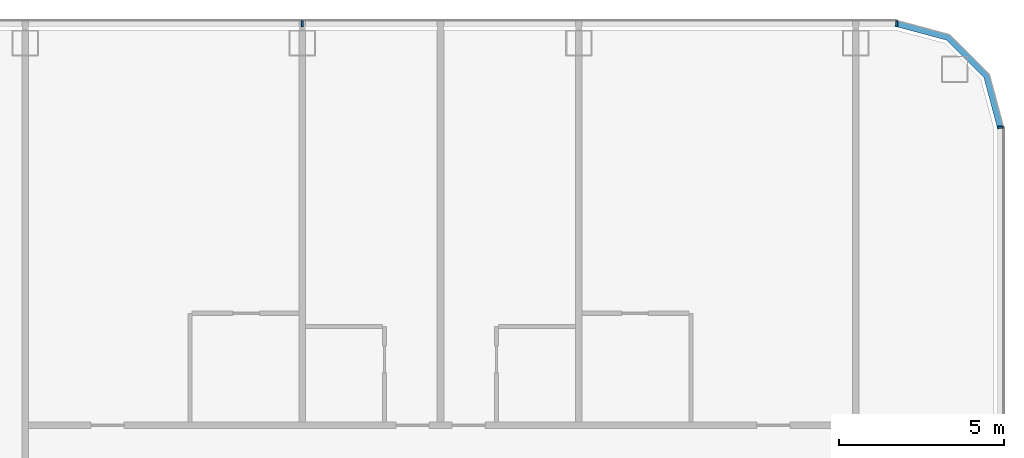
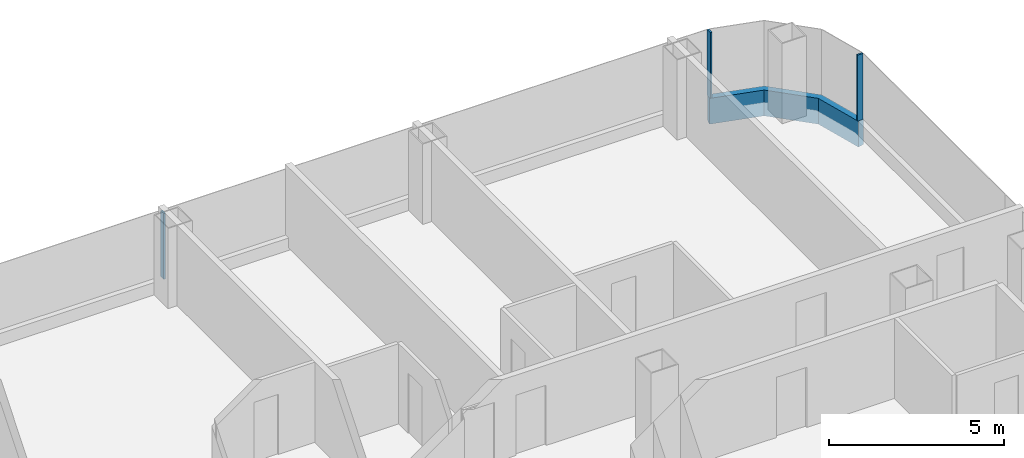
# One storey, part 13 of 29: 4 members, 3 elements without a shape of their own.
"""IFC4 building model written with IfcOpenShell, lengths in metres."""

from ifc_helpers import new_model, si_unit, direction, frame, origin, origin_2d, place, context, subcontext, project, spatial, polyline, rectangle, outline, extrude, material, layer, layer_set, material_profile, profile_set, type_object, element, aggregate, save


model = new_model("IFC4")

# Units and contexts
model_context = context("Model", 3, precision=1e-05, world=origin(), true_north=direction((0.0, 1.0)))
body_context = subcontext(model_context, "Body", "Model", "MODEL_VIEW")
ifc_project = project(units=[si_unit("LENGTHUNIT", "METRE"), si_unit("AREAUNIT", "SQUARE_METRE"), si_unit("VOLUMEUNIT", "CUBIC_METRE"), si_unit("PLANEANGLEUNIT", "RADIAN"), si_unit("MASSUNIT", "GRAM", prefix="KILO")], contexts=[model_context])

# Site, building, storey
site_placement = place(None, origin())
site = spatial("IfcSite", under=ifc_project, at=site_placement, CompositionType="ELEMENT")
building_placement = place(site_placement, origin())
building = spatial("IfcBuilding", under=site, at=building_placement, Name="Hakoniwa Tower and Hamabe Station Hall", CompositionType="ELEMENT")
storey_placement = place(building_placement, frame((0.0, 0.0, 97.800048828125)))
storey = spatial("IfcBuildingStorey", under=building, at=storey_placement, Name="L27", CompositionType="ELEMENT", Elevation=97.800048828125)

# Curtain wall, member
ifc_material_1 = material(Name="Dark low-e laminated glass", Category="glass")
ifc_layer = layer(ifc_material_1, 0.199951171875)
ifc_layer_set = layer_set([ifc_layer], Name="CW-1 UNITISED GUEST")
curtain_wall_type = type_object("IfcCurtainWallType", Name="CW-1 UNITISED GUEST", PredefinedType="NOTDEFINED", material=ifc_layer_set)
curtain_wall_1_placement = place(storey_placement, origin())
curtain_wall_1 = element("IfcCurtainWall", 1, at=curtain_wall_1_placement, inside=storey, type_object=curtain_wall_type, Name="CW-1 curtain wall", PredefinedType="NOTDEFINED")
ifc_material_2 = material(Name="Aluminium 6063-T5 black anodised", Category="aluminium")
ifc_material_profile_1 = material_profile(ifc_material_2, rectangle(XDim=0.199951171875, YDim=0.89990234375, at=origin_2d()), Name="CW SLAB-EDGE BAND 900X200")
ifc_profile_set_1 = profile_set([ifc_material_profile_1], Name="Aluminium 6063-T5 black anodised")
member_type_1 = type_object("IfcMemberType", Name="CW SLAB-EDGE BAND 900X200", PredefinedType="USERDEFINED", material=ifc_profile_set_1)
member_1_placement = place(storey_placement, frame((0.0, 0.0, -0.550048828125)))
member_1 = element("IfcMember", 2, at=member_1_placement, type_object=member_type_1, Name="CW-1 transom", ObjectType="TRANSOM", PredefinedType="USERDEFINED", context=body_context, shape_type="SweptSolid", body=[
    extrude(outline(polyline([(46.5, 20.28955078125), (46.067138671875, 21.9052734375), (44.855224609375, 23.116943359375), (43.239501953125, 23.550048828125), (43.187744140625, 23.35693359375), (44.751708984375, 22.937744140625), (45.8876953125, 21.8017578125), (46.306884765625, 20.23779296875), (46.5, 20.28955078125)])), origin(), (0.0, 0.0, 1.0), 0.89990234375),
])
aggregate(curtain_wall_1, [member_1])

curtain_wall_2_placement = place(storey_placement, origin())
curtain_wall_2 = element("IfcCurtainWall", 3, at=curtain_wall_2_placement, inside=storey, type_object=curtain_wall_type, Name="CW-1 curtain wall", PredefinedType="NOTDEFINED")
ifc_material_3 = material(Name="Aluminium 6063-T5 black anodised", Category="aluminium")
ifc_material_profile_2 = material_profile(ifc_material_3, rectangle(XDim=0.06005859375, YDim=0.179931640625, at=origin_2d()), Name="CW-1 MULLION 60X180")
ifc_profile_set_2 = profile_set([ifc_material_profile_2], Name="Aluminium 6063-T5 black anodised")
member_type_2 = type_object("IfcMemberType", Name="CW-1 MULLION 60X180", PredefinedType="MULLION", material=ifc_profile_set_2)
member_2_placement = place(storey_placement, frame((46.382080078125, 20.28955078125, 0.349853515625), z_axis=(0.0, 0.0, 1.0), x_axis=(0.0, 1.0, 0.0)))
member_2 = element("IfcMember", 4, at=member_2_placement, type_object=member_type_2, Name="CW-1 mullion", PredefinedType="MULLION", context=body_context, shape_type="SweptSolid", body=[
    extrude(rectangle(XDim=0.06005859375, YDim=0.179931640625, at=origin_2d()), origin(), (0.0, 0.0, 1.0), 2.300048828125),
])
aggregate(curtain_wall_2, [member_2])

# Curtain wall, members
curtain_wall_3_placement = place(storey_placement, origin())
curtain_wall_3 = element("IfcCurtainWall", 5, at=curtain_wall_3_placement, inside=storey, type_object=curtain_wall_type, Name="CW-1 curtain wall", PredefinedType="NOTDEFINED")
member_3_placement = place(storey_placement, frame((43.239501953125, 23.431884765625, 0.349853515625), z_axis=(0.0, 0.0, 1.0), x_axis=(-1.0, 0.0, 0.0)))
member_3 = element("IfcMember", 6, at=member_3_placement, type_object=member_type_2, Name="CW-1 mullion", PredefinedType="MULLION", context=body_context, shape_type="SweptSolid", body=[
    extrude(rectangle(XDim=0.06005859375, YDim=0.179931640625, at=origin_2d()), origin(), (0.0, 0.0, 1.0), 2.300048828125),
])
member_4_placement = place(storey_placement, frame((25.199951171875, 23.431884765625, 0.349853515625), z_axis=(0.0, 0.0, 1.0), x_axis=(-1.0, 0.0, 0.0)))
member_4 = element("IfcMember", 7, at=member_4_placement, type_object=member_type_2, Name="CW-1 mullion", PredefinedType="MULLION", context=body_context, shape_type="SweptSolid", body=[
    extrude(rectangle(XDim=0.06005859375, YDim=0.179931640625, at=origin_2d()), origin(), (0.0, 0.0, 1.0), 2.300048828125),
])
aggregate(curtain_wall_3, [member_3, member_4])

save(model, "model.ifc")
